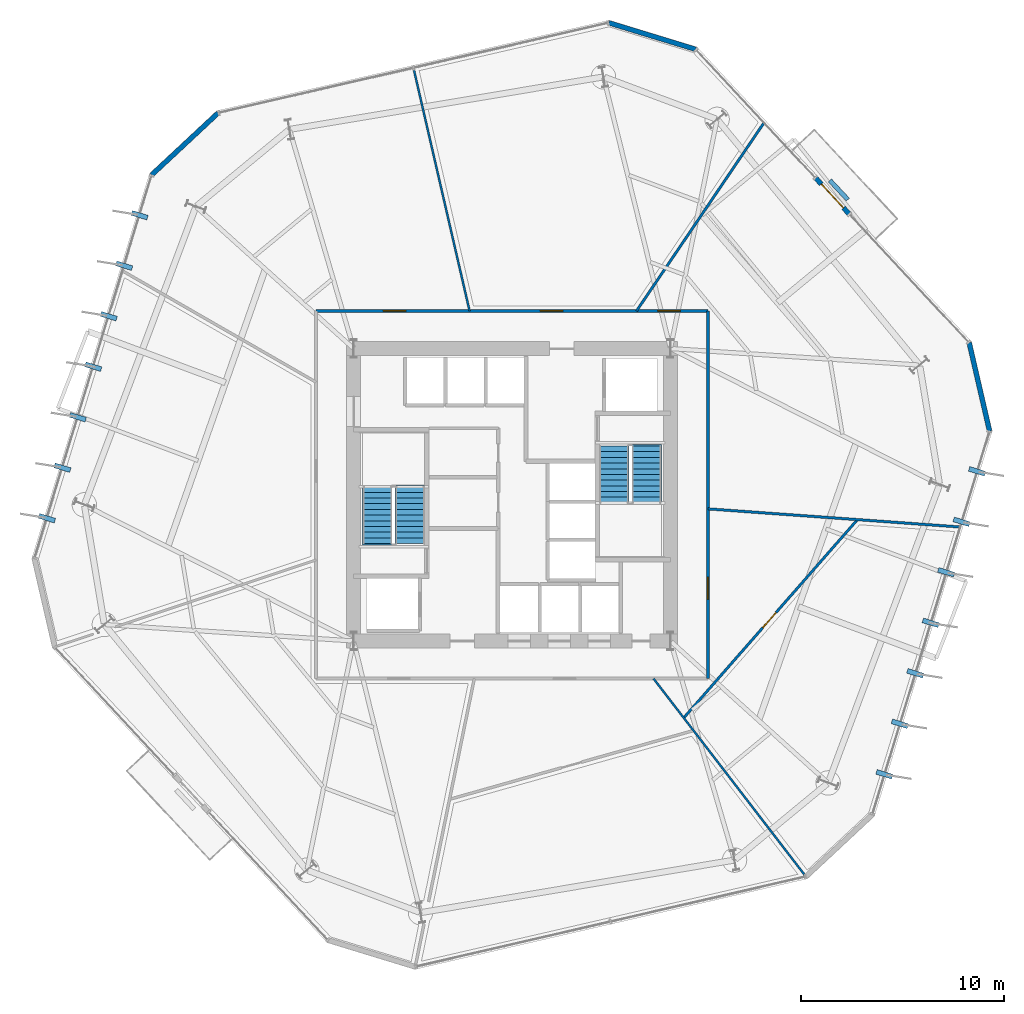
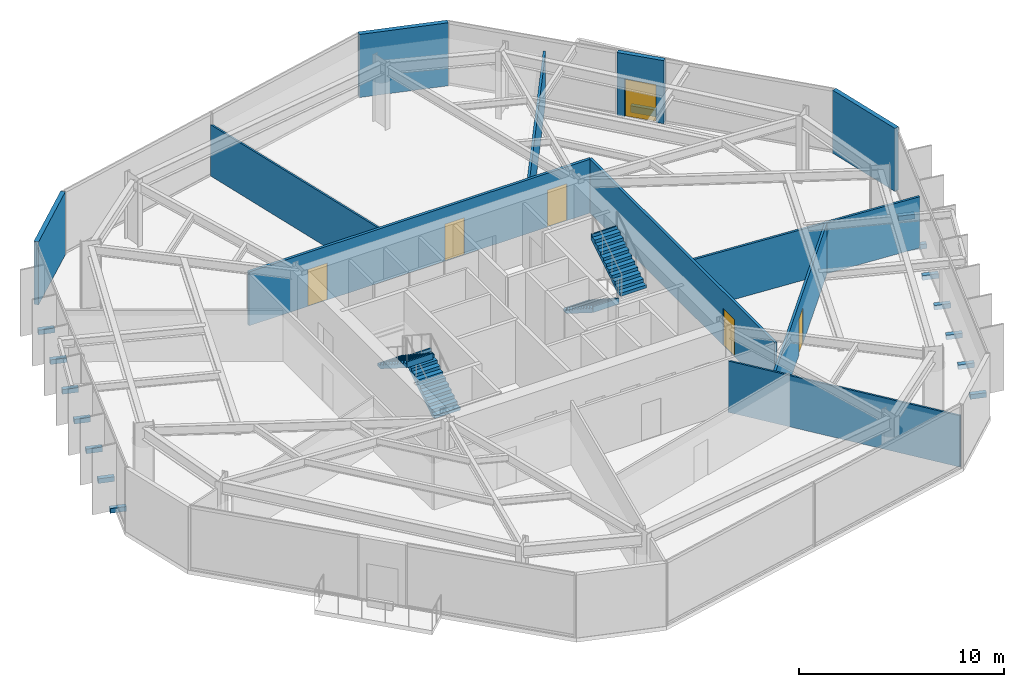
# One storey, part 7 of 10: 14 discrete accessories, 12 walls, 6 doors, 4 stair flights, 6 openings, 2 elements without a shape of their own.
"""IFC4 building model written with IfcOpenShell, lengths in metres."""

import ifcopenshell
import ifcopenshell.guid

model = None  # the IFC model being written
_history = None  # IfcOwnerHistory: only IFC2X3 demands one
_inside = {}  # id of a spatial element -> (the spatial element, [elements in it])
_under = {}  # id of a project, library or spatial element -> (it, [spatial elements below it])
_declared = {}  # id of a project -> (the project, [libraries it declares])
_typed = {}  # id of a type object -> (the type object, [elements of that type])
_made_of = {}  # id of a material, layer set ... -> (it, [elements and type objects made of it])


def new_model(schema):
    """Start an empty IFC model of exactly this schema.

    Asked for "IFC4X3", IfcOpenShell would pick the latest addendum, in which some entities
    have other attributes; the version numbers below select the first issue.
    IFC2X3 requires an IfcOwnerHistory on every rooted entity: one is made here for all.
    """
    global model, _history
    if schema == "IFC4X3":
        model = ifcopenshell.file(schema_version=(4, 3, 0, 0))
    else:
        model = ifcopenshell.file(schema=schema)
    _inside.clear()
    _under.clear()
    _declared.clear()
    _typed.clear()
    _made_of.clear()
    _history = None
    if model.schema == "IFC2X3":
        org = make("IfcOrganization", Name="unknown")
        user = make(
            "IfcPersonAndOrganization",
            ThePerson=make("IfcPerson", FamilyName="unknown"),
            TheOrganization=org,
        )
        app = make(
            "IfcApplication",
            ApplicationDeveloper=org,
            Version="unknown",
            ApplicationFullName="unknown",
            ApplicationIdentifier="unknown",
        )
        _history = make(
            "IfcOwnerHistory",
            OwningUser=user,
            OwningApplication=app,
            ChangeAction="ADDED",
            CreationDate=0,
        )
    return model


def make(cls, **values):
    """One entity of the class cls with the attributes given. An attribute that is None is left unset."""
    return model.create_entity(
        cls, **{name: value for name, value in values.items() if value is not None}
    )


def rooted(cls, **values):
    """An entity with a GlobalId (a new one), such as an element, a storey or a relation."""
    return make(cls, GlobalId=ifcopenshell.guid.new(), OwnerHistory=_history, **values)


def si_unit(unit_type, name, prefix=None):
    """IfcSIUnit, for example si_unit("LENGTHUNIT", "METRE", prefix="MILLI")."""
    return make("IfcSIUnit", UnitType=unit_type, Prefix=prefix, Name=name)


def assignment(units):
    """IfcUnitAssignment: the units of a project."""
    return None if units is None else make("IfcUnitAssignment", Units=units)


def point(xyz):
    """IfcCartesianPoint."""
    return None if xyz is None else make("IfcCartesianPoint", Coordinates=xyz)


def direction(xyz):
    """IfcDirection."""
    return None if xyz is None else make("IfcDirection", DirectionRatios=xyz)


def frame(location, z_axis=None, x_axis=None):
    """IfcAxis2Placement3D, a coordinate frame: its origin and axes. An axis left out is left unset."""
    return make(
        "IfcAxis2Placement3D",
        Location=point(location),
        Axis=direction(z_axis),
        RefDirection=direction(x_axis),
    )


def frame_2d(location, x_axis=None):
    """IfcAxis2Placement2D, a coordinate frame in the plane: its origin and x axis."""
    return make(
        "IfcAxis2Placement2D", Location=point(location), RefDirection=direction(x_axis)
    )


def origin():
    """The frame at (0, 0, 0) with its axes left unset."""
    return frame((0.0, 0.0, 0.0))


def origin_2d():
    """The frame at (0, 0) in the plane with its x axis left unset."""
    return frame_2d((0.0, 0.0))


def place(relative_to, where):
    """IfcLocalPlacement: puts the frame where relative to a parent placement (None: the world)."""
    return make(
        "IfcLocalPlacement", PlacementRelTo=relative_to, RelativePlacement=where
    )


def context(
    kind, dimensions, precision=None, world=None, true_north=None, identifier=None
):
    """IfcGeometricRepresentationContext, for example the 3D "Model" context."""
    return make(
        "IfcGeometricRepresentationContext",
        ContextIdentifier=identifier,
        ContextType=kind,
        CoordinateSpaceDimension=dimensions,
        Precision=precision,
        WorldCoordinateSystem=world,
        TrueNorth=true_north,
    )


def subcontext(parent, identifier, kind, view, scale=None):
    """IfcGeometricRepresentationSubContext, for example "Body" below "Model"."""
    return make(
        "IfcGeometricRepresentationSubContext",
        ContextIdentifier=identifier,
        ContextType=kind,
        ParentContext=parent,
        TargetScale=scale,
        TargetView=view,
    )


def project(units=None, contexts=None):
    """IfcProject with its units and contexts."""
    return rooted(
        "IfcProject",
        Name="project",
        RepresentationContexts=contexts,
        UnitsInContext=assignment(units),
    )


def spatial(cls, under=None, at=None, **own):
    """A site, building, storey or space (cls), placed at a placement, below another one or the project."""
    s = rooted(cls, ObjectPlacement=at, **own)
    if under is not None:
        _under.setdefault(under.id(), (under, []))[1].append(s)
    return s


def polyline(points):
    """IfcPolyline through the points."""
    return make("IfcPolyline", Points=[point(p) for p in points])


def profile(cls, at=None, kind="AREA", **sizes):
    """A parametric profile (cls). Its sizes go by their IFC names, for example OverallWidth=200.0."""
    return make(cls, ProfileType=kind, Position=at, **sizes)


def rectangle(**sizes):
    """IfcRectangleProfileDef."""
    return profile("IfcRectangleProfileDef", **sizes)


def outline(outer, holes=None, kind="AREA"):
    """IfcArbitraryClosedProfileDef: a profile drawn as a closed curve; with holes, ...WithVoids."""
    if holes is None:
        return make("IfcArbitraryClosedProfileDef", ProfileType=kind, OuterCurve=outer)
    return make(
        "IfcArbitraryProfileDefWithVoids",
        ProfileType=kind,
        OuterCurve=outer,
        InnerCurves=holes,
    )


def extrude(swept, where, along, depth):
    """IfcExtrudedAreaSolid: the profile swept, set in the frame where, extruded along a direction by depth."""
    return make(
        "IfcExtrudedAreaSolid",
        SweptArea=swept,
        Position=where,
        ExtrudedDirection=direction(along),
        Depth=depth,
    )


def shape(context_of_items, identifier, shape_type, items):
    """IfcShapeRepresentation: the items that make up one representation, for example the "Body"."""
    return make(
        "IfcShapeRepresentation",
        ContextOfItems=context_of_items,
        RepresentationIdentifier=identifier,
        RepresentationType=shape_type,
        Items=items,
    )


def material(Name=None, Category=None):
    """IfcMaterial."""
    return make("IfcMaterial", Name=Name, Category=Category)


def layer(
    of_material, thickness, ventilated=None, Name=None, Category=None, Priority=None
):
    """IfcMaterialLayer: one layer of a wall or slab, of a material (None: an air gap)."""
    return make(
        "IfcMaterialLayer",
        Material=of_material,
        LayerThickness=thickness,
        IsVentilated=ventilated,
        Name=Name,
        Category=Category,
        Priority=Priority,
    )


def layer_set(layers, Name=None):
    """IfcMaterialLayerSet."""
    return make("IfcMaterialLayerSet", MaterialLayers=layers, LayerSetName=Name)


def made_of(thing, what):
    """Note that an element or type object is made of a material, layer set ...; save() writes the relation."""
    if what is not None:
        _made_of.setdefault(what.id(), (what, []))[1].append(thing)
    return thing


def type_object(cls, material=None, **own):
    """A type object (cls), such as IfcWallType, which elements share."""
    return made_of(rooted(cls, **own), material)


def element(
    cls,
    number,
    at=None,
    inside=None,
    cuts=None,
    type_object=None,
    material=None,
    context=None,
    identifier="Body",
    shape_type=None,
    held_by="IfcProductDefinitionShape",
    body=None,
    shapes=None,
    **own,
):
    """One element of the class cls, such as IfcWall. Its Tag is "e" and its number.

    at: its placement. inside: the storey or other place that contains it. cuts: it is an
    opening in that element (IfcRelVoidsElement). A single representation is given by context,
    identifier, shape_type and body (its items); several are given by shapes. held_by: the class
    of the entity that holds the representations. save() writes the other relations.
    """
    e = rooted(cls, Tag="e%d" % number, ObjectPlacement=at, **own)
    if body is not None:
        shapes = [shape(context, identifier, shape_type, body)]
    if shapes is not None:
        e.Representation = make(held_by, Representations=shapes)
    if inside is not None:
        _inside.setdefault(inside.id(), (inside, []))[1].append(e)
    if cuts is not None:
        rooted(
            "IfcRelVoidsElement", RelatingBuildingElement=cuts, RelatedOpeningElement=e
        )
    if type_object is not None:
        _typed.setdefault(type_object.id(), (type_object, []))[1].append(e)
    return made_of(e, material)


def fill(opening, filler):
    """IfcRelFillsElement: the door or window that sits in an opening."""
    return rooted(
        "IfcRelFillsElement",
        RelatingOpeningElement=opening,
        RelatedBuildingElement=filler,
    )


def aggregate(whole, parts):
    """IfcRelAggregates: a whole, such as a stair, and the parts it consists of."""
    return rooted("IfcRelAggregates", RelatingObject=whole, RelatedObjects=parts)


def save(model, path):
    """Write the relations noted so far, then the file.

    IfcRelAggregates (storeys below a building ...), IfcRelContainedInSpatialStructure (elements
    in a storey), IfcRelDefinesByType, IfcRelAssociatesMaterial and IfcRelDeclares: one each for
    every whole, place, type object, material and project.
    """
    for whole, parts in _under.values():
        aggregate(whole, parts)
    for where, things in _inside.values():
        rooted(
            "IfcRelContainedInSpatialStructure",
            RelatedElements=things,
            RelatingStructure=where,
        )
    for kind, things in _typed.values():
        rooted("IfcRelDefinesByType", RelatedObjects=things, RelatingType=kind)
    for what, things in _made_of.values():
        rooted("IfcRelAssociatesMaterial", RelatedObjects=things, RelatingMaterial=what)
    for by, libraries in _declared.values():
        rooted("IfcRelDeclares", RelatingContext=by, RelatedDefinitions=libraries)
    model.write(path)


model = new_model("IFC4")

# Units and contexts
model_context = context("Model", 3, precision=1e-05, world=origin(), true_north=direction((0.0, 1.0)))
body_context = subcontext(model_context, "Body", "Model", "MODEL_VIEW")
ifc_project = project(units=[si_unit("LENGTHUNIT", "METRE"), si_unit("AREAUNIT", "SQUARE_METRE"), si_unit("VOLUMEUNIT", "CUBIC_METRE"), si_unit("PLANEANGLEUNIT", "RADIAN"), si_unit("MASSUNIT", "GRAM", prefix="KILO")], contexts=[model_context])

# Site, building, storey
site_placement = place(None, origin())
site = spatial("IfcSite", under=ifc_project, at=site_placement, CompositionType="ELEMENT")
building_placement = place(site_placement, origin())
building = spatial("IfcBuilding", under=site, at=building_placement, Name="Kranzbogen Civic Tower", CompositionType="ELEMENT")
storey_placement = place(building_placement, frame((0.0, 0.0, 72.0)))
storey = spatial("IfcBuildingStorey", under=building, at=storey_placement, Name="L17", CompositionType="ELEMENT", Elevation=72.0)

# Wall, openings, doors
ifc_material_1 = material(Name="Double-Stud Acoustic Gypsum Partition")
ifc_layer_1 = layer(ifc_material_1, 0.14990234375, Name="Double-Stud Acoustic Gypsum Partition")
ifc_layer_set_1 = layer_set([ifc_layer_1], Name="Double-Stud Acoustic Gypsum Partition")
wall_type_1 = type_object("IfcWallType", Name="Acoustic Corridor and Clinical Partition 150 mm", PredefinedType="PARTITIONING", material=ifc_layer_set_1)
wall_1_placement = place(storey_placement, frame((15.35009765625, 34.050048828125, 0.0), z_axis=(0.0, 0.0, 1.0), x_axis=(1.0, 0.0, 0.0)))
wall_1 = element("IfcWall", 1, at=wall_1_placement, inside=storey, type_object=wall_type_1, Name="L17 corridor partition 01", PredefinedType="PARTITIONING", context=body_context, shape_type="SweptSolid", body=[
    extrude(rectangle(XDim=19.2998046875, YDim=0.14990234375, at=frame_2d((9.64990234375, 0.0))), origin(), (0.0, 0.0, 1.0), 3.2099609375),
])
opening_1_placement = place(wall_1_placement, frame((16.8349609375, 0.0, 0.0)))
opening_1 = element("IfcOpeningElement", 2, at=opening_1_placement, cuts=wall_1, Name="Opening D-COR60", PredefinedType="OPENING", context=body_context, shape_type="SweptSolid", body=[
    extrude(rectangle(XDim=1.10009765625, YDim=2.199951171875, at=frame_2d((0.550048828125, 1.10009765625))), frame((0.0, 0.0849609375, 0.0), z_axis=(0.0, -1.0, 0.0), x_axis=(1.0, 0.0, 0.0)), (0.0, 0.0, 1.0), 0.169921875),
])
opening_2_placement = place(wall_1_placement, frame((11.052001953125, 0.0, 0.0)))
opening_2 = element("IfcOpeningElement", 3, at=opening_2_placement, cuts=wall_1, Name="Opening D-COR60", PredefinedType="OPENING", context=body_context, shape_type="SweptSolid", body=[
    extrude(rectangle(XDim=1.10009765625, YDim=2.199951171875, at=frame_2d((0.550048828125, 1.10009765625))), frame((0.0, 0.0849609375, 0.0), z_axis=(0.0, -1.0, 0.0), x_axis=(1.0, 0.0, 0.0)), (0.0, 0.0, 1.0), 0.169921875),
])
opening_3_placement = place(wall_1_placement, frame((3.318115234375, 0.0, 0.0)))
opening_3 = element("IfcOpeningElement", 4, at=opening_3_placement, cuts=wall_1, Name="Opening D-COR60", PredefinedType="OPENING", context=body_context, shape_type="SweptSolid", body=[
    extrude(rectangle(XDim=1.10009765625, YDim=2.199951171875, at=frame_2d((0.550048828125, 1.10009765625))), frame((0.0, 0.0849609375, 0.0), z_axis=(0.0, -1.0, 0.0), x_axis=(1.0, 0.0, 0.0)), (0.0, 0.0, 1.0), 0.169921875),
])
ifc_material_2 = material(Name="Oak Timber and Fire Core", Category="wood")
door_type_1 = type_object("IfcDoorType", Name="Corridor Acoustic Fire Door 1100x2200", OperationType="NOTDEFINED", PredefinedType="DOOR", material=ifc_material_2)
door_1_placement = place(opening_1_placement, origin())
door_1 = element("IfcDoor", 5, at=door_1_placement, inside=storey, type_object=door_type_1, Name="L17 Protocol Entrance Reception door", OperationType="SINGLE_SWING_RIGHT", OverallHeight=2.199951171875, OverallWidth=1.10009765625, PredefinedType="DOOR", context=body_context, shape_type="SweptSolid", body=[
    extrude(rectangle(XDim=1.10009765625, YDim=2.199951171875, at=frame_2d((0.550048828125, 1.10009765625))), frame((0.0, 0.02490234375, 0.0), z_axis=(0.0, -1.0, 0.0), x_axis=(1.0, 0.0, 0.0)), (0.0, 0.0, 1.0), 0.050048828125),
])
fill(opening_1, door_1)
door_2_placement = place(opening_2_placement, origin())
door_2 = element("IfcDoor", 6, at=door_2_placement, inside=storey, type_object=door_type_1, Name="L17 Citizen Services Kiosk door", OperationType="SINGLE_SWING_LEFT", OverallHeight=2.199951171875, OverallWidth=1.10009765625, PredefinedType="DOOR", context=body_context, shape_type="SweptSolid", body=[
    extrude(rectangle(XDim=1.10009765625, YDim=2.199951171875, at=frame_2d((0.550048828125, 1.10009765625))), frame((0.0, 0.02490234375, 0.0), z_axis=(0.0, -1.0, 0.0), x_axis=(1.0, 0.0, 0.0)), (0.0, 0.0, 1.0), 0.050048828125),
])
fill(opening_2, door_2)
door_3_placement = place(opening_3_placement, origin())
door_3 = element("IfcDoor", 7, at=door_3_placement, inside=storey, type_object=door_type_1, Name="L17 Executive Briefing Conference Room door", OperationType="SINGLE_SWING_RIGHT", OverallHeight=2.199951171875, OverallWidth=1.10009765625, PredefinedType="DOOR", context=body_context, shape_type="SweptSolid", body=[
    extrude(rectangle(XDim=1.10009765625, YDim=2.199951171875, at=frame_2d((0.550048828125, 1.10009765625))), frame((0.0, 0.02490234375, 0.0), z_axis=(0.0, -1.0, 0.0), x_axis=(1.0, 0.0, 0.0)), (0.0, 0.0, 1.0), 0.050048828125),
])
fill(opening_3, door_3)

# Wall, opening, door
wall_2_placement = place(storey_placement, frame((34.64990234375, 34.050048828125, 0.0), z_axis=(0.0, 0.0, 1.0), x_axis=(0.0, -1.0, 0.0)))
wall_2 = element("IfcWall", 8, at=wall_2_placement, inside=storey, type_object=wall_type_1, Name="L17 corridor partition 02", PredefinedType="PARTITIONING", context=body_context, shape_type="SweptSolid", body=[
    extrude(rectangle(XDim=18.10009765625, YDim=0.14990234375, at=frame_2d((9.050048828125, 0.0))), origin(), (0.0, 0.0, 1.0), 3.2099609375),
])
opening_4_placement = place(wall_2_placement, frame((13.10205078125, 0.0, 0.0)))
opening_4 = element("IfcOpeningElement", 9, at=opening_4_placement, cuts=wall_2, Name="Opening D-COR60", PredefinedType="OPENING", context=body_context, shape_type="SweptSolid", body=[
    extrude(rectangle(XDim=1.10009765625, YDim=2.199951171875, at=frame_2d((0.550048828125, 1.10009765625))), frame((0.0, 0.0849609375, 0.0), z_axis=(0.0, -1.0, 0.0), x_axis=(1.0, 0.0, 0.0)), (0.0, 0.0, 1.0), 0.169921875),
])
door_4_placement = place(opening_4_placement, origin())
door_4 = element("IfcDoor", 10, at=door_4_placement, inside=storey, type_object=door_type_1, Name="L17 Public Delegation Reception door", OperationType="SINGLE_SWING_RIGHT", OverallHeight=2.199951171875, OverallWidth=1.10009765625, PredefinedType="DOOR", context=body_context, shape_type="SweptSolid", body=[
    extrude(rectangle(XDim=1.10009765625, YDim=2.199951171875, at=frame_2d((0.550048828125, 1.10009765625))), frame((0.0, 0.02490234375, 0.0), z_axis=(0.0, -1.0, 0.0), x_axis=(1.0, 0.0, 0.0)), (0.0, 0.0, 1.0), 0.050048828125),
])
fill(opening_4, door_4)

# Walls
ifc_material_3 = material(Name="Insulated Metal-Stud Gypsum Partition")
ifc_layer_2 = layer(ifc_material_3, 0.125, Name="Insulated Metal-Stud Gypsum Partition")
ifc_layer_set_2 = layer_set([ifc_layer_2], Name="Insulated Metal-Stud Gypsum Partition")
wall_type_2 = type_object("IfcWallType", Name="Acoustic Inter-Room Partition 125 mm", PredefinedType="PARTITIONING", material=ifc_layer_set_2)
wall_3_placement = place(storey_placement, frame((31.1298828125, 34.050048828125, 0.0), z_axis=(0.0, 0.0, 1.0), x_axis=(0.560811937369, 0.827943217198, 0.0)))
element("IfcWall", 11, at=wall_3_placement, inside=storey, type_object=wall_type_2, Name="L17 radial room partition 01", PredefinedType="PARTITIONING", context=body_context, shape_type="SweptSolid", body=[
    extrude(rectangle(XDim=11.181884765625, YDim=0.125, at=frame_2d((5.5908203125, 0.0))), origin(), (0.0, 0.0, 1.0), 3.02001953125),
])
wall_4_placement = place(storey_placement, frame((34.64990234375, 24.305908203125, 0.0), z_axis=(0.0, 0.0, 1.0), x_axis=(0.997425610376, -0.071708798384, 0.0)))
element("IfcWall", 12, at=wall_4_placement, inside=storey, type_object=wall_type_2, Name="L17 radial room partition 07", PredefinedType="PARTITIONING", context=body_context, shape_type="SweptSolid", body=[
    extrude(rectangle(XDim=12.43701171875, YDim=0.125, at=frame_2d((6.218505859375, 0.0))), origin(), (0.0, 0.0, 1.0), 3.050048828125),
])

# Wall, opening, door
wall_5_placement = place(storey_placement, frame((33.467041015625, 14.02587890625, 0.0), z_axis=(0.0, 0.0, 1.0), x_axis=(0.65898913026, 0.752152462071, 0.0)))
wall_5 = element("IfcWall", 13, at=wall_5_placement, inside=storey, type_object=wall_type_2, Name="L17 suite chord partition 02", PredefinedType="PARTITIONING", context=body_context, shape_type="SweptSolid", body=[
    extrude(rectangle(XDim=12.945556640625, YDim=0.125, at=frame_2d((6.47265625, 0.0))), origin(), (0.0, 0.0, 1.0), 3.050048828125),
])
opening_5_placement = place(wall_5_placement, frame((5.883056640625, 0.0, 0.0)))
opening_5 = element("IfcOpeningElement", 14, at=opening_5_placement, cuts=wall_5, Name="Opening D-OFC10", PredefinedType="OPENING", context=body_context, shape_type="SweptSolid", body=[
    extrude(rectangle(XDim=1.0, YDim=2.14990234375, at=frame_2d((0.5, 1.074951171875))), frame((0.0, 0.072509765625, 0.0), z_axis=(0.0, -1.0, 0.0), x_axis=(1.0, 0.0, 0.0)), (0.0, 0.0, 1.0), 0.14501953125),
])
ifc_material_4 = material(Name="Oak Timber Veneer", Category="wood")
door_type_2 = type_object("IfcDoorType", Name="Standard Office Acoustic Door 1000x2150", OperationType="NOTDEFINED", PredefinedType="DOOR", material=ifc_material_4)
door_5_placement = place(opening_5_placement, origin())
door_5 = element("IfcDoor", 15, at=door_5_placement, inside=storey, type_object=door_type_2, Name="L17 Ministerial Policy Office door", OperationType="SINGLE_SWING_LEFT", OverallHeight=2.14990234375, OverallWidth=1.0, PredefinedType="DOOR", context=body_context, shape_type="SweptSolid", body=[
    extrude(rectangle(XDim=1.0, YDim=2.14990234375, at=frame_2d((0.5, 1.074951171875))), frame((0.0, 0.02490234375, 0.0), z_axis=(0.0, -1.0, 0.0), x_axis=(1.0, 0.0, 0.0)), (0.0, 0.0, 1.0), 0.050048828125),
])
fill(opening_5, door_5)

# Walls
ifc_material_5 = material(Name="Architectural Precast Terracotta Concrete C40/50", Category="masonry")
ifc_layer_3 = layer(ifc_material_5, 0.219970703125, Name="Architectural Precast Terracotta Concrete C40/50")
ifc_layer_set_3 = layer_set([ifc_layer_3], Name="Architectural Precast Terracotta Concrete C40/50")
wall_type_3 = type_object("IfcWallType", Name="Architectural Tree Planter Kerb Wall 220 mm", PredefinedType="USERDEFINED", material=ifc_layer_set_3)
wall_6_placement = place(storey_placement, frame((41.535888671875, 39.531982421875, 0.0), z_axis=(0.0, 0.0, 1.0), x_axis=(-0.682057046315, 0.731298971401, 0.0)))
element("IfcWall", 16, at=wall_6_placement, inside=storey, type_object=wall_type_3, Name="L17 landscaped tree balcony planter L17-TB2", ObjectType="PLANTER_WALL", PredefinedType="USERDEFINED", context=body_context, shape_type="SweptSolid", body=[
    extrude(rectangle(XDim=1.299072265625, YDim=0.219970703125, at=frame_2d((0.6494140625, 0.0))), origin(), (0.0, 0.0, 1.0), 0.39990234375),
])
ifc_material_6 = material(Name="Demountable Aluminium and Gypsum Partition", Category="aluminium")
ifc_layer_4 = layer(ifc_material_6, 0.10009765625, Name="Demountable Aluminium and Gypsum Partition")
ifc_layer_set_4 = layer_set([ifc_layer_4], Name="Demountable Aluminium and Gypsum Partition")
wall_type_4 = type_object("IfcWallType", Name="Demountable Office Partition 100 mm", PredefinedType="MOVABLE", material=ifc_layer_set_4)
wall_7_placement = place(storey_placement, frame((22.910888671875, 34.050048828125, 0.0), z_axis=(0.0, 0.0, 1.0), x_axis=(-0.224987411573, 0.974361670343, 0.0)))
element("IfcWall", 17, at=wall_7_placement, inside=storey, type_object=wall_type_4, Name="L17 radial room partition 02", PredefinedType="MOVABLE", context=body_context, shape_type="SweptSolid", body=[
    extrude(rectangle(XDim=12.267333984375, YDim=0.10009765625, at=frame_2d((6.1337890625, 0.0))), origin(), (0.0, 0.0, 1.0), 3.06005859375),
])
wall_8_placement = place(storey_placement, frame((31.967041015625, 15.949951171875, 0.0), z_axis=(0.0, 0.0, 1.0), x_axis=(0.609982546542, -0.792414848999, 0.0)))
element("IfcWall", 18, at=wall_8_placement, inside=storey, type_object=wall_type_4, Name="L17 radial room partition 06", PredefinedType="MOVABLE", context=body_context, shape_type="SweptSolid", body=[
    extrude(rectangle(XDim=12.283935546875, YDim=0.10009765625, at=frame_2d((6.14208984375, 0.0))), origin(), (0.0, 0.0, 1.0), 3.06005859375),
])

# Wall, opening, door
ifc_material_7 = material(Name="Pale Anodised Aluminium", Category="aluminium")
ifc_layer_5 = layer(ifc_material_7, 0.239990234375, Name="Pale Anodised Aluminium")
ifc_layer_set_5 = layer_set([ifc_layer_5], Name="Pale Anodised Aluminium")
wall_type_5 = type_object("IfcWallType", Name="Insulated Aluminium Facade Portal Wall 240 mm", PredefinedType="STANDARD", material=ifc_layer_set_5)
wall_9_placement = place(storey_placement, frame((41.595947265625, 38.8349609375, 0.0), z_axis=(0.0, 0.0, 1.0), x_axis=(-0.681857956093, 0.731484605246, 0.0)))
wall_9 = element("IfcWall", 19, at=wall_9_placement, inside=storey, type_object=wall_type_5, Name="L17 exterior entrance portal wall 1", PredefinedType="STANDARD", context=body_context, shape_type="SweptSolid", body=[
    extrude(rectangle(XDim=2.400634765625, YDim=0.239990234375, at=frame_2d((1.2001953125, 0.0))), origin(), (0.0, 0.0, 1.0), 3.760009765625),
])
opening_6_placement = place(wall_9_placement, frame((0.39990234375, 0.0, 0.0)))
opening_6 = element("IfcOpeningElement", 20, at=opening_6_placement, cuts=wall_9, Name="Opening D-TER", PredefinedType="OPENING", context=body_context, shape_type="SweptSolid", body=[
    extrude(rectangle(XDim=1.60009765625, YDim=2.25, at=frame_2d((0.800048828125, 1.125))), frame((0.0, 0.1298828125, 0.0), z_axis=(0.0, -1.0, 0.0), x_axis=(1.0, 0.0, 0.0)), (0.0, 0.0, 1.0), 0.260009765625),
])
ifc_material_8 = material(Name="Anodised Bronze and Triple Glass", Category="glass")
door_type_3 = type_object("IfcDoorType", Name="Glazed Terrace and Balcony Double Door 1600x2250", OperationType="DOUBLE_DOOR_SINGLE_SWING", PredefinedType="DOOR", material=ifc_material_8)
door_6_placement = place(opening_6_placement, frame((1.60009765625, 0.0, 0.0), z_axis=(0.0, 0.0, 1.0), x_axis=(-1.0, 0.0, 0.0)))
door_6 = element("IfcDoor", 21, at=door_6_placement, inside=storey, type_object=door_type_3, Name="L17 tree balcony access door L17-TB2", OperationType="DOUBLE_DOOR_SINGLE_SWING", OverallHeight=2.25, OverallWidth=1.60009765625, PredefinedType="DOOR", context=body_context, shape_type="SweptSolid", body=[
    extrude(rectangle(XDim=1.60009765625, YDim=2.25, at=frame_2d((0.800048828125, 1.125))), frame((0.0, 0.02490234375, 0.0), z_axis=(0.0, -1.0, 0.0), x_axis=(1.0, 0.0, 0.0)), (0.0, 0.0, 1.0), 0.050048828125),
])
fill(opening_6, door_6)

# Walls
wall_10_placement = place(storey_placement, frame((34.044921875, 46.93310546875, 0.0), z_axis=(0.0, 0.0, 1.0), x_axis=(-0.956323609786, 0.292310029535, 0.0)))
element("IfcWall", 22, at=wall_10_placement, inside=storey, type_object=wall_type_5, Name="L17 chamfered corner facade spandrel 1", PredefinedType="STANDARD", context=body_context, shape_type="SweptSolid", body=[
    extrude(rectangle(XDim=4.47412109375, YDim=0.239990234375, at=frame_2d((2.237060546875, 0.0))), origin(), (0.0, 0.0, 1.0), 3.760009765625),
])
wall_11_placement = place(storey_placement, frame((10.528076171875, 43.799072265625, 0.0), z_axis=(0.0, 0.0, 1.0), x_axis=(-0.731267590606, -0.682090691133, 0.0)))
element("IfcWall", 23, at=wall_11_placement, inside=storey, type_object=wall_type_5, Name="L17 chamfered corner facade spandrel 2", PredefinedType="STANDARD", context=body_context, shape_type="SweptSolid", body=[
    extrude(rectangle(XDim=4.47314453125, YDim=0.239990234375, at=frame_2d((2.236572265625, 0.0))), origin(), (0.0, 0.0, 1.0), 3.760009765625),
])
wall_12_placement = place(storey_placement, frame((48.51611328125, 28.134033203125, 0.0), z_axis=(0.0, 0.0, 1.0), x_axis=(-0.224903350388, 0.974381076881, 0.0)))
element("IfcWall", 24, at=wall_12_placement, inside=storey, type_object=wall_type_5, Name="L17 chamfered corner facade spandrel 6", PredefinedType="STANDARD", context=body_context, shape_type="SweptSolid", body=[
    extrude(rectangle(XDim=4.473388671875, YDim=0.239990234375, at=frame_2d((2.23681640625, 0.0))), origin(), (0.0, 0.0, 1.0), 3.760009765625),
])

# Stair, stair flights
ifc_material_9 = material(Name="Precast concrete C40/50", Category="concrete")
stair_type_1 = type_object("IfcStairType", Name="Tower Core Pressurized Dogleg Stair 1450", PredefinedType="HALF_TURN_STAIR", material=ifc_material_9)
stair_1_placement = place(storey_placement, origin())
stair_1 = element("IfcStair", 25, at=stair_1_placement, inside=storey, type_object=stair_type_1, Name="L17 Tower Core Pressurized Stair 1", PredefinedType="HALF_TURN_STAIR")
stair_flight_type = type_object("IfcStairFlightType", Name="Precast Concrete Stair Flight R180", PredefinedType="STRAIGHT", material=ifc_material_9)
stair_flight_1_placement = place(storey_placement, frame((19.97509765625, 22.60009765625, 0.0), z_axis=(0.0, 0.0, 1.0), x_axis=(0.0, 1.0, 0.0)))
stair_flight_1 = element("IfcStairFlight", 26, at=stair_flight_1_placement, type_object=stair_flight_type, Name="ST-T1 flight 1", NumberOfRisers=11, NumberOfTreads=10, PredefinedType="STRAIGHT", RiserHeight=0.181818182, TreadLength=0.28, context=body_context, shape_type="SweptSolid", body=[
    extrude(outline(polyline([(0.0, 0.0), (0.0, 0.181884765625), (0.280029296875, 0.181884765625), (0.280029296875, 0.363525390625), (0.56005859375, 0.363525390625), (0.56005859375, 0.54541015625), (0.840087890625, 0.54541015625), (0.840087890625, 0.727294921875), (1.1201171875, 0.727294921875), (1.1201171875, 0.9091796875), (1.39990234375, 0.9091796875), (1.39990234375, 1.0908203125), (1.679931640625, 1.0908203125), (1.679931640625, 1.272705078125), (1.9599609375, 1.272705078125), (1.9599609375, 1.45458984375), (2.239990234375, 1.45458984375), (2.239990234375, 1.636474609375), (2.52001953125, 1.636474609375), (2.52001953125, 1.818115234375), (2.800048828125, 1.818115234375), (2.800048828125, 2.0), (2.880126953125, 2.0), (2.880126953125, 1.639404296875), (0.275146484375, 0.0), (0.0, 0.0)])), frame((0.0, 0.72509765625, 0.0), z_axis=(0.0, -1.0, 0.0), x_axis=(1.0, 0.0, 0.0)), (0.0, 0.0, 1.0), 1.449951171875),
])
stair_flight_2_placement = place(storey_placement, frame((18.375, 25.39990234375, 2.0), z_axis=(0.0, 0.0, 1.0), x_axis=(0.0, -1.0, 0.0)))
stair_flight_2 = element("IfcStairFlight", 27, at=stair_flight_2_placement, type_object=stair_flight_type, Name="ST-T1 flight 2", NumberOfRisers=11, NumberOfTreads=10, PredefinedType="STRAIGHT", RiserHeight=0.181818182, TreadLength=0.28, context=body_context, shape_type="SweptSolid", body=[
    extrude(outline(polyline([(0.0, 0.0), (0.0, 0.181884765625), (0.280029296875, 0.181884765625), (0.280029296875, 0.363525390625), (0.56005859375, 0.363525390625), (0.56005859375, 0.54541015625), (0.840087890625, 0.54541015625), (0.840087890625, 0.727294921875), (1.1201171875, 0.727294921875), (1.1201171875, 0.9091796875), (1.39990234375, 0.9091796875), (1.39990234375, 1.0908203125), (1.679931640625, 1.0908203125), (1.679931640625, 1.272705078125), (1.9599609375, 1.272705078125), (1.9599609375, 1.45458984375), (2.239990234375, 1.45458984375), (2.239990234375, 1.636474609375), (2.52001953125, 1.636474609375), (2.52001953125, 1.818115234375), (2.800048828125, 1.818115234375), (2.800048828125, 2.0), (2.880126953125, 2.0), (2.880126953125, 1.639404296875), (0.275146484375, 0.0), (0.0, 0.0)])), frame((0.0, 0.72509765625, 0.0), z_axis=(0.0, -1.0, 0.0), x_axis=(1.0, 0.0, 0.0)), (0.0, 0.0, 1.0), 1.449951171875),
])
aggregate(stair_1, [stair_flight_1, stair_flight_2])

stair_type_2 = type_object("IfcStairType", Name="Tower Core Secondary Dogleg Stair 1450", PredefinedType="HALF_TURN_STAIR", material=ifc_material_9)
stair_2_placement = place(storey_placement, origin())
stair_2 = element("IfcStair", 28, at=stair_2_placement, inside=storey, type_object=stair_type_2, Name="L17 Tower Core Pressurized Stair 2", PredefinedType="HALF_TURN_STAIR")
stair_flight_3_placement = place(storey_placement, frame((30.02490234375, 27.39990234375, 0.0), z_axis=(0.0, 0.0, 1.0), x_axis=(0.0, -1.0, 0.0)))
stair_flight_3 = element("IfcStairFlight", 29, at=stair_flight_3_placement, type_object=stair_flight_type, Name="ST-T2 flight 1", NumberOfRisers=11, NumberOfTreads=10, PredefinedType="STRAIGHT", RiserHeight=0.181818182, TreadLength=0.28, context=body_context, shape_type="SweptSolid", body=[
    extrude(outline(polyline([(0.0, 0.0), (0.0, 0.181884765625), (0.280029296875, 0.181884765625), (0.280029296875, 0.363525390625), (0.56005859375, 0.363525390625), (0.56005859375, 0.54541015625), (0.840087890625, 0.54541015625), (0.840087890625, 0.727294921875), (1.1201171875, 0.727294921875), (1.1201171875, 0.9091796875), (1.39990234375, 0.9091796875), (1.39990234375, 1.0908203125), (1.679931640625, 1.0908203125), (1.679931640625, 1.272705078125), (1.9599609375, 1.272705078125), (1.9599609375, 1.45458984375), (2.239990234375, 1.45458984375), (2.239990234375, 1.636474609375), (2.52001953125, 1.636474609375), (2.52001953125, 1.818115234375), (2.800048828125, 1.818115234375), (2.800048828125, 2.0), (2.880126953125, 2.0), (2.880126953125, 1.639404296875), (0.275146484375, 0.0), (0.0, 0.0)])), frame((0.0, 0.72509765625, 0.0), z_axis=(0.0, -1.0, 0.0), x_axis=(1.0, 0.0, 0.0)), (0.0, 0.0, 1.0), 1.449951171875),
])
stair_flight_4_placement = place(storey_placement, frame((31.625, 24.60009765625, 2.0), z_axis=(0.0, 0.0, 1.0), x_axis=(0.0, 1.0, 0.0)))
stair_flight_4 = element("IfcStairFlight", 30, at=stair_flight_4_placement, type_object=stair_flight_type, Name="ST-T2 flight 2", NumberOfRisers=11, NumberOfTreads=10, PredefinedType="STRAIGHT", RiserHeight=0.181818182, TreadLength=0.28, context=body_context, shape_type="SweptSolid", body=[
    extrude(outline(polyline([(0.0, 0.0), (0.0, 0.181884765625), (0.280029296875, 0.181884765625), (0.280029296875, 0.363525390625), (0.56005859375, 0.363525390625), (0.56005859375, 0.54541015625), (0.840087890625, 0.54541015625), (0.840087890625, 0.727294921875), (1.1201171875, 0.727294921875), (1.1201171875, 0.9091796875), (1.39990234375, 0.9091796875), (1.39990234375, 1.0908203125), (1.679931640625, 1.0908203125), (1.679931640625, 1.272705078125), (1.9599609375, 1.272705078125), (1.9599609375, 1.45458984375), (2.239990234375, 1.45458984375), (2.239990234375, 1.636474609375), (2.52001953125, 1.636474609375), (2.52001953125, 1.818115234375), (2.800048828125, 1.818115234375), (2.800048828125, 2.0), (2.880126953125, 2.0), (2.880126953125, 1.639404296875), (0.275146484375, 0.0), (0.0, 0.0)])), frame((0.0, 0.72509765625, 0.0), z_axis=(0.0, -1.0, 0.0), x_axis=(1.0, 0.0, 0.0)), (0.0, 0.0, 1.0), 1.449951171875),
])
aggregate(stair_2, [stair_flight_3, stair_flight_4])

# Discrete accessories
ifc_material_10 = material(Name="Steel S355", Category="steel")
discrete_accessory_type = type_object("IfcDiscreteAccessoryType", Name="Structural Curtain-Wall Fin Support Bracket", PredefinedType="BRACKET", material=ifc_material_10)
for number, where, z_axis, x_axis, name in (
    (31, (6.6630859375, 38.762939453125, -0.25), (0.0, 0.0, 1.0), (-0.956304755963, 0.292371704723, 0.0), "L17 facade fin support bracket F3-1"),
    (32, (5.903076171875, 36.27587890625, -0.25), (0.0, 0.0, 1.0), (-0.956304755963, 0.292371704723, 0.0), "L17 facade fin support bracket F3-2"),
    (33, (5.14306640625, 33.7900390625, -0.25), (0.0, 0.0, 1.0), (-0.956304755963, 0.292371704723, 0.0), "L17 facade fin support bracket F3-3"),
    (34, (4.382080078125, 31.303955078125, -0.25), (0.0, 0.0, 1.0), (-0.956304755963, 0.292371704723, 0.0), "L17 facade fin support bracket F3-4"),
    (35, (3.6220703125, 28.81689453125, -0.25), (0.0, 0.0, 1.0), (-0.956304755963, 0.292371704723, 0.0), "L17 facade fin support bracket F3-5"),
    (36, (2.862060546875, 26.3310546875, -0.25), (0.0, 0.0, 1.0), (-0.956304755963, 0.292371704723, 0.0), "L17 facade fin support bracket F3-6"),
    (37, (2.10205078125, 23.843994140625, -0.25), (0.0, 0.0, 1.0), (-0.956304755963, 0.292371704723, 0.0), "L17 facade fin support bracket F3-7"),
    (38, (43.3369140625, 11.237060546875, -0.25), (0.0, 0.0, 1.0), (0.956304755963, -0.292371704723, 0.0), "L17 facade fin support bracket F6-1"),
    (39, (44.096923828125, 13.72412109375, -0.25), (0.0, 0.0, 1.0), (0.956304755963, -0.292371704723, 0.0), "L17 facade fin support bracket F6-2"),
    (40, (44.85693359375, 16.2099609375, -0.25), (0.0, 0.0, 1.0), (0.956304755963, -0.292371704723, 0.0), "L17 facade fin support bracket F6-3"),
    (41, (45.617919921875, 18.696044921875, -0.25), (0.0, 0.0, 1.0), (0.956304755963, -0.292371704723, 0.0), "L17 facade fin support bracket F6-4"),
    (42, (46.3779296875, 21.18310546875, -0.25), (0.0, 0.0, 1.0), (0.956304755963, -0.292371704723, 0.0), "L17 facade fin support bracket F6-5"),
    (43, (47.137939453125, 23.6689453125, -0.25), (0.0, 0.0, 1.0), (0.956304755963, -0.292371704723, 0.0), "L17 facade fin support bracket F6-6"),
    (44, (47.89794921875, 26.156005859375, -0.25), (0.0, 0.0, 1.0), (0.956304755963, -0.292371704723, 0.0), "L17 facade fin support bracket F6-7"),
):
    element("IfcDiscreteAccessory", number, at=place(storey_placement, frame(where, z_axis=z_axis, x_axis=x_axis)), inside=storey, type_object=discrete_accessory_type, Name=name, PredefinedType="BRACKET", context=body_context, shape_type="SweptSolid", body=[
        extrude(rectangle(XDim=0.820068359375, YDim=0.239990234375, at=origin_2d()), origin(), (0.0, 0.0, 1.0), 0.280029296875),
    ])

save(model, "model.ifc")
